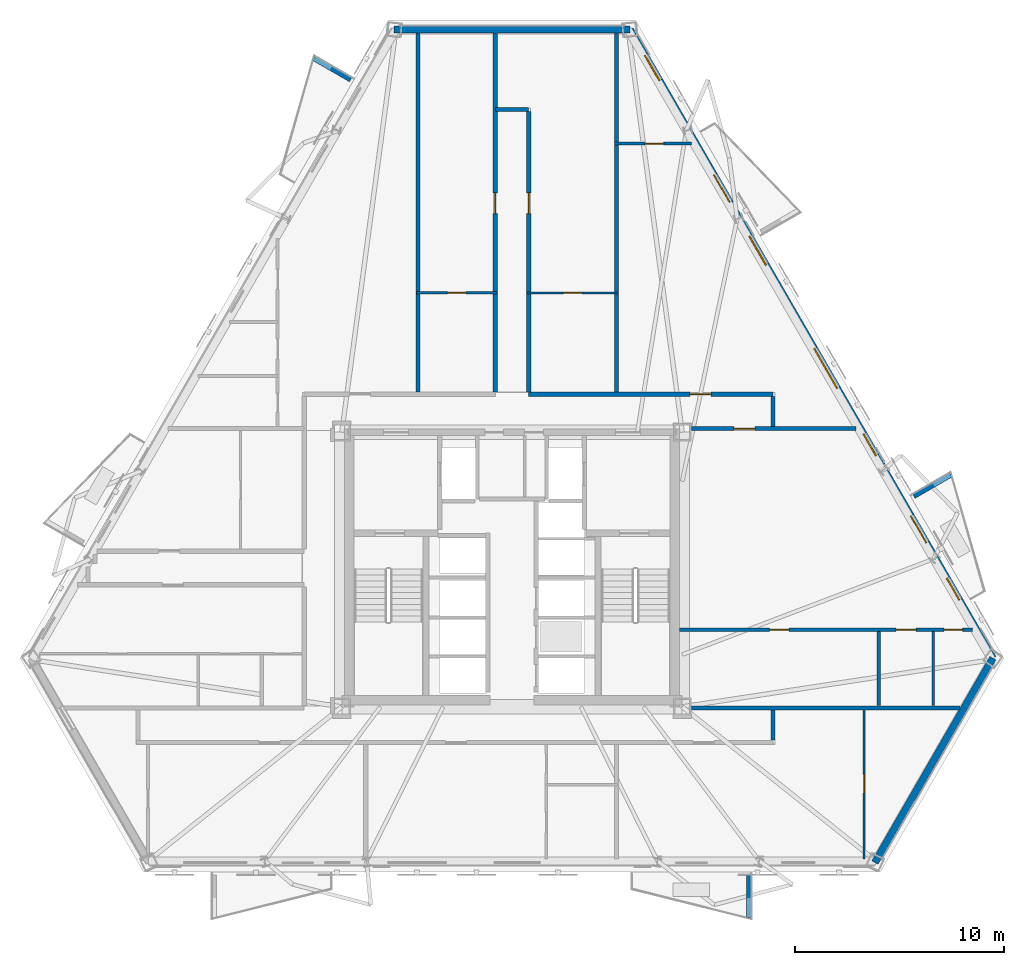
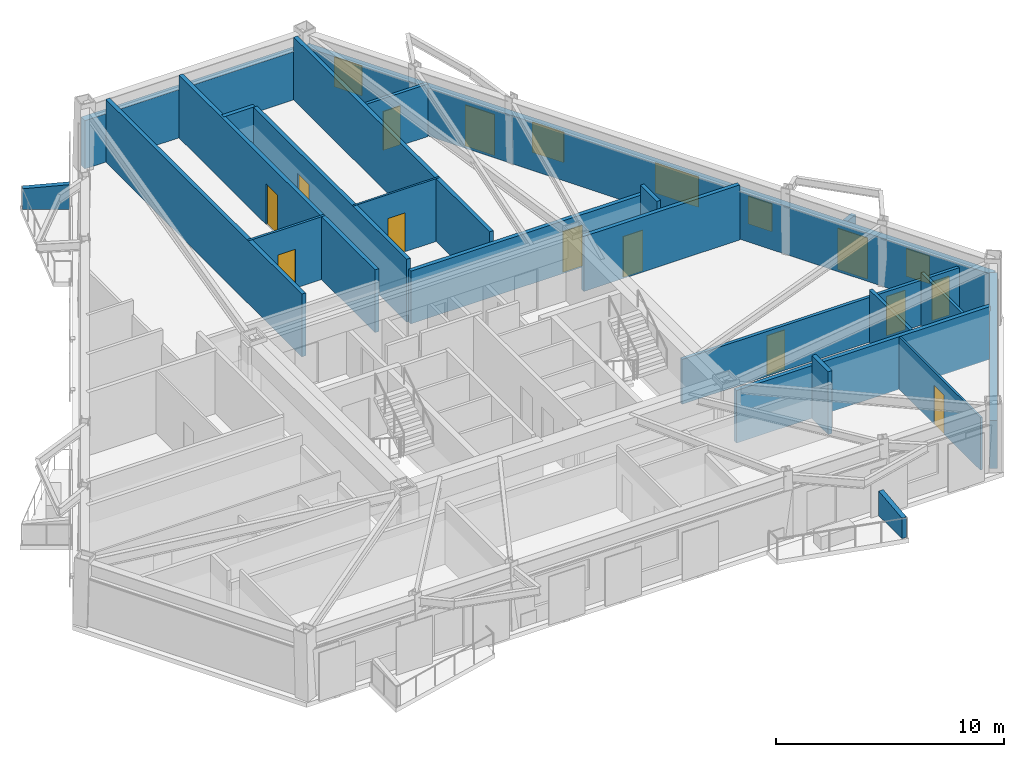
# One storey, part 5 of 11: 23 walls, 13 doors, 5 windows, 18 openings.
"""IFC4 building model written with IfcOpenShell, lengths in metres."""

from ifc_helpers import new_model, si_unit, direction, frame, frame_2d, origin, place, context, subcontext, project, spatial, polyline, rectangle, outline, extrude, material, layer, layer_set, type_object, element, fill, save


model = new_model("IFC4")

# Units and contexts
model_context = context("Model", 3, precision=1e-05, world=origin(), true_north=direction((0.0, 1.0)))
body_context = subcontext(model_context, "Body", "Model", "MODEL_VIEW")
ifc_project = project(units=[si_unit("LENGTHUNIT", "METRE"), si_unit("AREAUNIT", "SQUARE_METRE"), si_unit("VOLUMEUNIT", "CUBIC_METRE"), si_unit("PLANEANGLEUNIT", "RADIAN"), si_unit("MASSUNIT", "GRAM", prefix="KILO")], contexts=[model_context])

# Site, building, storey
site_placement = place(None, origin())
site = spatial("IfcSite", under=ifc_project, at=site_placement, CompositionType="ELEMENT")
building_placement = place(site_placement, origin())
building = spatial("IfcBuilding", under=site, at=building_placement, Name="Oramaril Tower", CompositionType="ELEMENT")
storey_placement = place(building_placement, frame((0.0, 0.0, 112.199951171875)))
storey = spatial("IfcBuildingStorey", under=building, at=storey_placement, Name="L29", CompositionType="ELEMENT", Elevation=112.199951171875)

# Wall
ifc_material_1 = material(Name="Warm Cream Limestone", Category="masonry")
ifc_layer_1 = layer(ifc_material_1, 0.340087890625)
ifc_layer_set_1 = layer_set([ifc_layer_1], Name="WT-EXT34")
wall_type_1 = type_object("IfcWallType", Name="WT-EXT34", PredefinedType="SOLIDWALL", material=ifc_layer_set_1)
wall_1_placement = place(storey_placement, frame((54.875, 3.544677734375, 0.0), z_axis=(0.0, 0.0, 1.0), x_axis=(0.500010476433, 0.866019355129, 0.0)))
element("IfcWall", 1, at=wall_1_placement, inside=storey, type_object=wall_type_1, Name="L29 Tower Limestone Facade Wall 3M", PredefinedType="SOLIDWALL", context=body_context, shape_type="SweptSolid", body=[
    extrude(rectangle(XDim=11.299560546875, YDim=0.340087890625, at=frame_2d((5.64990234375, 0.0))), origin(), (0.0, 0.0, 1.0), 2.578125),
])

# Wall, openings, doors, windows
wall_2_placement = place(storey_placement, frame((60.52490234375, 13.330322265625, 0.0), z_axis=(0.0, 0.0, 1.0), x_axis=(-0.500004027594, 0.866023078439, 0.0)))
wall_2 = element("IfcWall", 2, at=wall_2_placement, inside=storey, type_object=wall_type_1, Name="L29 Tower Limestone Facade Wall 4M", PredefinedType="SOLIDWALL", context=body_context, shape_type="SweptSolid", body=[
    extrude(rectangle(XDim=34.750244140625, YDim=0.340087890625, at=frame_2d((17.375, 0.0))), origin(), (0.0, 0.0, 1.0), 2.578125),
])
opening_1_placement = place(wall_2_placement, frame((6.369384765625, 0.0, 0.0)))
opening_1 = element("IfcOpeningElement", 3, at=opening_1_placement, cuts=wall_2, Name="Opening D-L29-BAL-NE1", PredefinedType="OPENING", context=body_context, shape_type="SweptSolid", body=[
    extrude(rectangle(XDim=1.5, YDim=2.199951171875, at=frame_2d((0.75, 1.10009765625))), frame((0.0, 0.169921875, 0.0), z_axis=(0.0, -1.0, 0.0), x_axis=(1.0, 0.0, 0.0)), (0.0, 0.0, 1.0), 0.340087890625),
])
opening_2_placement = place(wall_2_placement, frame((25.2158203125, 0.0, 0.0)))
opening_2 = element("IfcOpeningElement", 4, at=opening_2_placement, cuts=wall_2, Name="Opening D-L29-BAL-NE2", PredefinedType="OPENING", context=body_context, shape_type="SweptSolid", body=[
    extrude(rectangle(XDim=1.5, YDim=2.199951171875, at=frame_2d((0.75, 1.10009765625))), frame((0.0, 0.169921875, 0.0), z_axis=(0.0, -1.0, 0.0), x_axis=(1.0, 0.0, 0.0)), (0.0, 0.0, 1.0), 0.340087890625),
])
opening_3_placement = place(wall_2_placement, frame((3.220458984375, 0.0, 0.85009765625)))
opening_3 = element("IfcOpeningElement", 5, at=opening_3_placement, cuts=wall_2, Name="Opening WN-09", PredefinedType="OPENING", context=body_context, shape_type="SweptSolid", body=[
    extrude(rectangle(XDim=1.199951171875, YDim=1.47998046875, at=frame_2d((0.60009765625, 0.739990234375))), frame((0.0, 0.169921875, 0.0), z_axis=(0.0, -1.0, 0.0), x_axis=(1.0, 0.0, 0.0)), (0.0, 0.0, 1.0), 0.340087890625),
])
opening_4_placement = place(wall_2_placement, frame((11.19287109375, 0.0, 0.85009765625)))
opening_4 = element("IfcOpeningElement", 6, at=opening_4_placement, cuts=wall_2, Name="Opening WN-09", PredefinedType="OPENING", context=body_context, shape_type="SweptSolid", body=[
    extrude(rectangle(XDim=1.199951171875, YDim=1.47998046875, at=frame_2d((0.60009765625, 0.739990234375))), frame((0.0, 0.169921875, 0.0), z_axis=(0.0, -1.0, 0.0), x_axis=(1.0, 0.0, 0.0)), (0.0, 0.0, 1.0), 0.340087890625),
])
opening_5_placement = place(wall_2_placement, frame((14.912841796875, 0.0, 0.85009765625)))
opening_5 = element("IfcOpeningElement", 7, at=opening_5_placement, cuts=wall_2, Name="Opening WN-04", PredefinedType="OPENING", context=body_context, shape_type="SweptSolid", body=[
    extrude(rectangle(XDim=2.199951171875, YDim=1.617919921875, at=frame_2d((1.10009765625, 0.80908203125))), frame((0.0, 0.169921875, 0.0), z_axis=(0.0, -1.0, 0.0), x_axis=(1.0, 0.0, 0.0)), (0.0, 0.0, 1.0), 0.340087890625),
])
opening_6_placement = place(wall_2_placement, frame((21.72412109375, 0.0, 0.85009765625)))
opening_6 = element("IfcOpeningElement", 8, at=opening_6_placement, cuts=wall_2, Name="Opening WN-07", PredefinedType="OPENING", context=body_context, shape_type="SweptSolid", body=[
    extrude(rectangle(XDim=1.60009765625, YDim=1.617919921875, at=frame_2d((0.800048828125, 0.80908203125))), frame((0.0, 0.169921875, 0.0), z_axis=(0.0, -1.0, 0.0), x_axis=(1.0, 0.0, 0.0)), (0.0, 0.0, 1.0), 0.340087890625),
])
opening_7_placement = place(wall_2_placement, frame((31.92822265625, 0.0, 0.85009765625)))
opening_7 = element("IfcOpeningElement", 9, at=opening_7_placement, cuts=wall_2, Name="Opening WN-08", PredefinedType="OPENING", context=body_context, shape_type="SweptSolid", body=[
    extrude(rectangle(XDim=1.39990234375, YDim=1.60009765625, at=frame_2d((0.699951171875, 0.800048828125))), frame((0.0, 0.169921875, 0.0), z_axis=(0.0, -1.0, 0.0), x_axis=(1.0, 0.0, 0.0)), (0.0, 0.0, 1.0), 0.340087890625),
])
ifc_material_2 = material(Name="Anodised Aluminium 6063-T6", Category="aluminium")
door_type_1 = type_object("IfcDoorType", Name="DT-BAL", OperationType="NOTDEFINED", PredefinedType="DOOR", material=ifc_material_2)
door_1_placement = place(opening_1_placement, origin())
door_1 = element("IfcDoor", 10, at=door_1_placement, inside=storey, type_object=door_type_1, Name="L29 Balcony Glazed Door L29-BAL-NE1", OperationType="SINGLE_SWING_RIGHT", OverallHeight=2.199951171875, OverallWidth=1.5, PredefinedType="DOOR", context=body_context, shape_type="SweptSolid", body=[
    extrude(rectangle(XDim=1.5, YDim=2.199951171875, at=frame_2d((0.75, 1.10009765625))), frame((0.0, 0.02490234375, 0.0), z_axis=(0.0, -1.0, 0.0), x_axis=(1.0, 0.0, 0.0)), (0.0, 0.0, 1.0), 0.050048828125),
])
fill(opening_1, door_1)
door_2_placement = place(opening_2_placement, origin())
door_2 = element("IfcDoor", 11, at=door_2_placement, inside=storey, type_object=door_type_1, Name="L29 Balcony Glazed Door L29-BAL-NE2", OperationType="SINGLE_SWING_LEFT", OverallHeight=2.199951171875, OverallWidth=1.5, PredefinedType="DOOR", context=body_context, shape_type="SweptSolid", body=[
    extrude(rectangle(XDim=1.5, YDim=2.199951171875, at=frame_2d((0.75, 1.10009765625))), frame((0.0, 0.02490234375, 0.0), z_axis=(0.0, -1.0, 0.0), x_axis=(1.0, 0.0, 0.0)), (0.0, 0.0, 1.0), 0.050048828125),
])
fill(opening_2, door_2)
ifc_material_3 = material(Name="Coastal Low-E Insulated Glass", Category="glass")
window_type_1 = type_object("IfcWindowType", Name="WNT-04", PartitioningType="SINGLE_PANEL", PredefinedType="WINDOW", material=ifc_material_3)
window_1_placement = place(opening_5_placement, origin())
window_1 = element("IfcWindow", 12, at=window_1_placement, inside=storey, type_object=window_type_1, Name="L29 Chicago Bay Window WN-04", OverallHeight=1.617919921875, OverallWidth=2.199951171875, PartitioningType="SINGLE_PANEL", PredefinedType="WINDOW", context=body_context, shape_type="SweptSolid", body=[
    extrude(rectangle(XDim=2.199951171875, YDim=1.617919921875, at=frame_2d((1.10009765625, 0.80908203125))), frame((0.0, 0.030029296875, 0.0), z_axis=(0.0, -1.0, 0.0), x_axis=(1.0, 0.0, 0.0)), (0.0, 0.0, 1.0), 0.06005859375),
])
fill(opening_5, window_1)
ifc_material_4 = material(Name="Coastal Low-E Insulated Glass", Category="glass")
window_type_2 = type_object("IfcWindowType", Name="WNT-07", PartitioningType="SINGLE_PANEL", PredefinedType="WINDOW", material=ifc_material_4)
window_2_placement = place(opening_6_placement, origin())
window_2 = element("IfcWindow", 13, at=window_2_placement, inside=storey, type_object=window_type_2, Name="L29 Chicago Bay Window WN-07", OverallHeight=1.617919921875, OverallWidth=1.60009765625, PartitioningType="SINGLE_PANEL", PredefinedType="WINDOW", context=body_context, shape_type="SweptSolid", body=[
    extrude(rectangle(XDim=1.60009765625, YDim=1.617919921875, at=frame_2d((0.800048828125, 0.80908203125))), frame((0.0, 0.030029296875, 0.0), z_axis=(0.0, -1.0, 0.0), x_axis=(1.0, 0.0, 0.0)), (0.0, 0.0, 1.0), 0.06005859375),
])
fill(opening_6, window_2)
ifc_material_5 = material(Name="Coastal Low-E Insulated Glass", Category="glass")
window_type_3 = type_object("IfcWindowType", Name="WNT-08", PartitioningType="SINGLE_PANEL", PredefinedType="WINDOW", material=ifc_material_5)
window_3_placement = place(opening_7_placement, origin())
window_3 = element("IfcWindow", 14, at=window_3_placement, inside=storey, type_object=window_type_3, Name="L29 Chicago Bay Window WN-08", OverallHeight=1.60009765625, OverallWidth=1.39990234375, PartitioningType="SINGLE_PANEL", PredefinedType="WINDOW", context=body_context, shape_type="SweptSolid", body=[
    extrude(rectangle(XDim=1.39990234375, YDim=1.60009765625, at=frame_2d((0.699951171875, 0.800048828125))), frame((0.0, 0.030029296875, 0.0), z_axis=(0.0, -1.0, 0.0), x_axis=(1.0, 0.0, 0.0)), (0.0, 0.0, 1.0), 0.06005859375),
])
fill(opening_7, window_3)
ifc_material_6 = material(Name="Coastal Low-E Insulated Glass", Category="glass")
window_type_4 = type_object("IfcWindowType", Name="WNT-09", PartitioningType="SINGLE_PANEL", PredefinedType="WINDOW", material=ifc_material_6)
window_4_placement = place(opening_3_placement, origin())
window_4 = element("IfcWindow", 15, at=window_4_placement, inside=storey, type_object=window_type_4, Name="L29 Chicago Bay Window WN-09", OverallHeight=1.47998046875, OverallWidth=1.199951171875, PartitioningType="SINGLE_PANEL", PredefinedType="WINDOW", context=body_context, shape_type="SweptSolid", body=[
    extrude(rectangle(XDim=1.199951171875, YDim=1.47998046875, at=frame_2d((0.60009765625, 0.739990234375))), frame((0.0, 0.030029296875, 0.0), z_axis=(0.0, -1.0, 0.0), x_axis=(1.0, 0.0, 0.0)), (0.0, 0.0, 1.0), 0.06005859375),
])
fill(opening_3, window_4)
window_5_placement = place(opening_4_placement, origin())
window_5 = element("IfcWindow", 16, at=window_5_placement, inside=storey, type_object=window_type_4, Name="L29 Chicago Bay Window WN-09", OverallHeight=1.47998046875, OverallWidth=1.199951171875, PartitioningType="SINGLE_PANEL", PredefinedType="WINDOW", context=body_context, shape_type="SweptSolid", body=[
    extrude(rectangle(XDim=1.199951171875, YDim=1.47998046875, at=frame_2d((0.60009765625, 0.739990234375))), frame((0.0, 0.030029296875, 0.0), z_axis=(0.0, -1.0, 0.0), x_axis=(1.0, 0.0, 0.0)), (0.0, 0.0, 1.0), 0.06005859375),
])
fill(opening_4, window_5)

# Walls
wall_3_placement = place(storey_placement, frame((43.149658203125, 43.4248046875, 0.0), z_axis=(0.0, 0.0, 1.0), x_axis=(-1.0, 0.0, 0.0)))
element("IfcWall", 17, at=wall_3_placement, inside=storey, type_object=wall_type_1, Name="L29 Tower Limestone Facade Wall 5M", PredefinedType="SOLIDWALL", context=body_context, shape_type="SweptSolid", body=[
    extrude(rectangle(XDim=11.29931640625, YDim=0.340087890625, at=frame_2d((5.649658203125, 0.0))), origin(), (0.0, 0.0, 1.0), 2.578125),
])
ifc_material_7 = material(Name="Concrete C40/50", Category="concrete")
ifc_layer_2 = layer(ifc_material_7, 0.22998046875)
ifc_layer_set_2 = layer_set([ifc_layer_2], Name="WT-PRP23")
wall_type_2 = type_object("IfcWallType", Name="WT-PRP23", PredefinedType="PARAPET", material=ifc_layer_set_2)
for number, where, z_axis, x_axis, name in (
    (18, (48.835693359375, 2.94677734375, 0.0), (0.0, 0.0, 1.0), (0.0, -1.0, 0.0), "L29 Trapezoidal Balcony Frame Cheek L29-BAL-S2-R"),
    (19, (56.740478515625, 21.080810546875, 0.0), (0.0, 0.0, 1.0), (0.866012356593, 0.500022597718, 0.0), "L29 Trapezoidal Balcony Frame Cheek L29-BAL-NE1-R"),
    (20, (29.775146484375, 41.026611328125, 0.0), (0.0, 0.0, 1.0), (-0.866012356593, 0.500022597718, 0.0), "L29 Trapezoidal Balcony Frame Cheek L29-BAL-NW1-L"),
):
    element("IfcWall", number, at=place(storey_placement, frame(where, z_axis=z_axis, x_axis=x_axis)), inside=storey, type_object=wall_type_2, Name=name, PredefinedType="PARAPET", context=body_context, shape_type="SweptSolid", body=[
        extrude(outline(polyline([(0.0, 0.0), (2.0419921875, 0.0), (2.0419921875, 1.10009765625), (0.0, 1.320068359375), (0.0, 0.0)])), frame((0.0, 0.114990234375, 0.0), z_axis=(0.0, -1.0, 0.0), x_axis=(1.0, 0.0, 0.0)), (0.0, 0.0, 1.0), 0.22998046875),
    ])

# Wall, opening, door
ifc_material_8 = material(Name="Acoustic Gypsum Board Partition")
ifc_layer_3 = layer(ifc_material_8, 0.10009765625)
ifc_layer_set_3 = layer_set([ifc_layer_3], Name="WT-PT10")
wall_type_3 = type_object("IfcWallType", Name="WT-PT10", PredefinedType="PARTITIONING", material=ifc_layer_set_3)
wall_4_placement = place(storey_placement, frame((38.218017578125, 30.820068359375, 0.0), z_axis=(0.0, 0.0, 1.0), x_axis=(1.0, 0.0, 0.0)))
wall_4 = element("IfcWall", 21, at=wall_4_placement, inside=storey, type_object=wall_type_3, Name="L29 Interior Partition PT-10", PredefinedType="PARTITIONING", context=body_context, shape_type="SweptSolid", body=[
    extrude(rectangle(XDim=4.364013671875, YDim=0.10009765625, at=frame_2d((2.18212890625, 0.0))), origin(), (0.0, 0.0, 1.0), 3.360107421875),
])
opening_8_placement = place(wall_4_placement, frame((1.741943359375, 0.0, 0.0)))
opening_8 = element("IfcOpeningElement", 22, at=opening_8_placement, cuts=wall_4, Name="Opening D-L29-16", PredefinedType="OPENING", context=body_context, shape_type="SweptSolid", body=[
    extrude(rectangle(XDim=0.8798828125, YDim=2.080078125, at=frame_2d((0.43994140625, 1.0400390625))), frame((0.0, 0.050048828125, 0.0), z_axis=(0.0, -1.0, 0.0), x_axis=(1.0, 0.0, 0.0)), (0.0, 0.0, 1.0), 0.10009765625),
])
ifc_material_9 = material(Name="FSC Brazilian Freijo Hardwood", Category="wood")
door_type_2 = type_object("IfcDoorType", Name="DT-BATH", OperationType="NOTDEFINED", PredefinedType="DOOR", material=ifc_material_9)
door_3_placement = place(opening_8_placement, origin())
door_3 = element("IfcDoor", 23, at=door_3_placement, inside=storey, type_object=door_type_2, Name="L29 Flat L29-U9 Bathroom Door D-L29-16", OperationType="SINGLE_SWING_LEFT", OverallHeight=2.080078125, OverallWidth=0.8798828125, PredefinedType="DOOR", context=body_context, shape_type="SweptSolid", body=[
    extrude(rectangle(XDim=0.8798828125, YDim=2.080078125, at=frame_2d((0.43994140625, 1.0400390625))), frame((0.0, 0.02490234375, 0.0), z_axis=(0.0, -1.0, 0.0), x_axis=(1.0, 0.0, 0.0)), (0.0, 0.0, 1.0), 0.050048828125),
])
fill(opening_8, door_3)

wall_5_placement = place(storey_placement, frame((54.360107421875, 3.71875, 0.0), z_axis=(0.0, 0.0, 1.0), x_axis=(0.0, 1.0, 0.0)))
wall_5 = element("IfcWall", 24, at=wall_5_placement, inside=storey, type_object=wall_type_3, Name="L29 Interior Partition PT-10", PredefinedType="PARTITIONING", context=body_context, shape_type="SweptSolid", body=[
    extrude(rectangle(XDim=7.127197265625, YDim=0.10009765625, at=frame_2d((3.5634765625, 0.0))), origin(), (0.0, 0.0, 1.0), 2.81396484375),
])
opening_9_placement = place(wall_5_placement, frame((3.163818359375, 0.0, 0.0)))
opening_9 = element("IfcOpeningElement", 25, at=opening_9_placement, cuts=wall_5, Name="Opening D-L29-27", PredefinedType="OPENING", context=body_context, shape_type="SweptSolid", body=[
    extrude(rectangle(XDim=0.8798828125, YDim=2.080078125, at=frame_2d((0.43994140625, 1.0400390625))), frame((0.0, 0.050048828125, 0.0), z_axis=(0.0, -1.0, 0.0), x_axis=(1.0, 0.0, 0.0)), (0.0, 0.0, 1.0), 0.10009765625),
])
door_4_placement = place(opening_9_placement, origin())
door_4 = element("IfcDoor", 26, at=door_4_placement, inside=storey, type_object=door_type_2, Name="L29 Flat L29-U3 Bathroom Door D-L29-27", OperationType="SINGLE_SWING_RIGHT", OverallHeight=2.080078125, OverallWidth=0.8798828125, PredefinedType="DOOR", context=body_context, shape_type="SweptSolid", body=[
    extrude(rectangle(XDim=0.8798828125, YDim=2.080078125, at=frame_2d((0.43994140625, 1.0400390625))), frame((0.0, 0.02490234375, 0.0), z_axis=(0.0, -1.0, 0.0), x_axis=(1.0, 0.0, 0.0)), (0.0, 0.0, 1.0), 0.050048828125),
])
fill(opening_9, door_4)

ifc_material_10 = material(Name="Acoustic Gypsum Board Partition")
ifc_layer_4 = layer(ifc_material_10, 0.1201171875)
ifc_layer_set_4 = layer_set([ifc_layer_4], Name="WT-PT12")
wall_type_4 = type_object("IfcWallType", Name="WT-PT12", PredefinedType="PARTITIONING", material=ifc_layer_set_4)
wall_6_placement = place(storey_placement, frame((32.91796875, 30.820068359375, 0.0), z_axis=(0.0, 0.0, 1.0), x_axis=(1.0, 0.0, 0.0)))
wall_6 = element("IfcWall", 27, at=wall_6_placement, inside=storey, type_object=wall_type_4, Name="L29 Interior Partition PT-12", PredefinedType="PARTITIONING", context=body_context, shape_type="SweptSolid", body=[
    extrude(rectangle(XDim=3.864013671875, YDim=0.1201171875, at=frame_2d((1.93212890625, 0.0))), origin(), (0.0, 0.0, 1.0), 3.360107421875),
])
opening_10_placement = place(wall_6_placement, frame((1.491943359375, 0.0, 0.0)))
opening_10 = element("IfcOpeningElement", 28, at=opening_10_placement, cuts=wall_6, Name="Opening D-L29-15", PredefinedType="OPENING", context=body_context, shape_type="SweptSolid", body=[
    extrude(rectangle(XDim=0.8798828125, YDim=2.080078125, at=frame_2d((0.43994140625, 1.0400390625))), frame((0.0, 0.06005859375, 0.0), z_axis=(0.0, -1.0, 0.0), x_axis=(1.0, 0.0, 0.0)), (0.0, 0.0, 1.0), 0.1201171875),
])
door_5_placement = place(opening_10_placement, origin())
door_5 = element("IfcDoor", 29, at=door_5_placement, inside=storey, type_object=door_type_2, Name="L29 Flat L29-U8 Bathroom Door D-L29-15", OperationType="SINGLE_SWING_RIGHT", OverallHeight=2.080078125, OverallWidth=0.8798828125, PredefinedType="DOOR", context=body_context, shape_type="SweptSolid", body=[
    extrude(rectangle(XDim=0.8798828125, YDim=2.080078125, at=frame_2d((0.43994140625, 1.0400390625))), frame((0.0, 0.02490234375, 0.0), z_axis=(0.0, -1.0, 0.0), x_axis=(1.0, 0.0, 0.0)), (0.0, 0.0, 1.0), 0.050048828125),
])
fill(opening_10, door_5)

# Wall
ifc_material_11 = material(Name="Acoustic Gypsum Board Partition")
ifc_layer_5 = layer(ifc_material_11, 0.139892578125)
ifc_layer_set_5 = layer_set([ifc_layer_5], Name="WT-PT14")
wall_type_5 = type_object("IfcWallType", Name="WT-PT14", PredefinedType="PARTITIONING", material=ifc_layer_set_5)
wall_7_placement = place(storey_placement, frame((57.669921875, 11.053955078125, 0.0), z_axis=(0.0, 0.0, 1.0), x_axis=(0.0, 1.0, 0.0)))
element("IfcWall", 30, at=wall_7_placement, inside=storey, type_object=wall_type_5, Name="L29 Interior Partition PT-14", PredefinedType="PARTITIONING", context=body_context, shape_type="SweptSolid", body=[
    extrude(rectangle(XDim=3.552001953125, YDim=0.139892578125, at=frame_2d((1.77587890625, 0.0))), origin(), (0.0, 0.0, 1.0), 2.81396484375),
])

# Wall, openings, doors
ifc_material_12 = material(Name="Acoustic Gypsum Board Partition")
ifc_layer_6 = layer(ifc_material_12, 0.159912109375)
ifc_layer_set_6 = layer_set([ifc_layer_6], Name="WT-PT16")
wall_type_6 = type_object("IfcWallType", Name="WT-PT16", PredefinedType="PARTITIONING", material=ifc_layer_set_6)
wall_8_placement = place(storey_placement, frame((45.513916015625, 14.68994140625, 0.0), z_axis=(0.0, 0.0, 1.0), x_axis=(1.0, 0.0, 0.0)))
wall_8 = element("IfcWall", 31, at=wall_8_placement, inside=storey, type_object=wall_type_6, Name="L29 Interior Partition PT-16", PredefinedType="PARTITIONING", context=body_context, shape_type="SweptSolid", body=[
    extrude(rectangle(XDim=14.02490234375, YDim=0.159912109375, at=frame_2d((7.012451171875, 0.0))), origin(), (0.0, 0.0, 1.0), 2.400146484375),
])
opening_11_placement = place(wall_8_placement, frame((4.322265625, 0.0, 0.0)))
opening_11 = element("IfcOpeningElement", 32, at=opening_11_placement, cuts=wall_8, Name="Opening D-L29-07", PredefinedType="OPENING", context=body_context, shape_type="SweptSolid", body=[
    extrude(rectangle(XDim=0.919921875, YDim=2.1201171875, at=frame_2d((0.4599609375, 1.06005859375))), frame((0.0, 0.080078125, 0.0), z_axis=(0.0, -1.0, 0.0), x_axis=(1.0, 0.0, 0.0)), (0.0, 0.0, 1.0), 0.159912109375),
])
opening_12_placement = place(wall_8_placement, frame((10.37939453125, 0.0, 0.0)))
opening_12 = element("IfcOpeningElement", 33, at=opening_12_placement, cuts=wall_8, Name="Opening D-L29-08", PredefinedType="OPENING", context=body_context, shape_type="SweptSolid", body=[
    extrude(rectangle(XDim=0.949951171875, YDim=2.10009765625, at=frame_2d((0.47509765625, 1.050048828125))), frame((0.0, 0.080078125, 0.0), z_axis=(0.0, -1.0, 0.0), x_axis=(1.0, 0.0, 0.0)), (0.0, 0.0, 1.0), 0.159912109375),
])
opening_13_placement = place(wall_8_placement, frame((12.680419921875, 0.0, 0.0)))
opening_13 = element("IfcOpeningElement", 34, at=opening_13_placement, cuts=wall_8, Name="Opening D-L29-09", PredefinedType="OPENING", context=body_context, shape_type="SweptSolid", body=[
    extrude(rectangle(XDim=0.8798828125, YDim=2.080078125, at=frame_2d((0.43994140625, 1.0400390625))), frame((0.0, 0.080078125, 0.0), z_axis=(0.0, -1.0, 0.0), x_axis=(1.0, 0.0, 0.0)), (0.0, 0.0, 1.0), 0.159912109375),
])
door_6_placement = place(opening_13_placement, origin())
door_6 = element("IfcDoor", 35, at=door_6_placement, inside=storey, type_object=door_type_2, Name="L29 Flat L29-U6 Bathroom Door D-L29-09", OperationType="SINGLE_SWING_RIGHT", OverallHeight=2.080078125, OverallWidth=0.8798828125, PredefinedType="DOOR", context=body_context, shape_type="SweptSolid", body=[
    extrude(rectangle(XDim=0.8798828125, YDim=2.080078125, at=frame_2d((0.43994140625, 1.0400390625))), frame((0.0, 0.02490234375, 0.0), z_axis=(0.0, -1.0, 0.0), x_axis=(1.0, 0.0, 0.0)), (0.0, 0.0, 1.0), 0.050048828125),
])
fill(opening_13, door_6)
ifc_material_13 = material(Name="FSC Brazilian Freijo Hardwood", Category="wood")
door_type_3 = type_object("IfcDoorType", Name="DT-BED", OperationType="NOTDEFINED", PredefinedType="DOOR", material=ifc_material_13)
door_7_placement = place(opening_11_placement, origin())
door_7 = element("IfcDoor", 36, at=door_7_placement, inside=storey, type_object=door_type_3, Name="L29 Flat L29-U6 Master Bedroom Door D-L29-07", OperationType="SINGLE_SWING_RIGHT", OverallHeight=2.1201171875, OverallWidth=0.919921875, PredefinedType="DOOR", context=body_context, shape_type="SweptSolid", body=[
    extrude(rectangle(XDim=0.919921875, YDim=2.1201171875, at=frame_2d((0.4599609375, 1.06005859375))), frame((0.0, 0.02490234375, 0.0), z_axis=(0.0, -1.0, 0.0), x_axis=(1.0, 0.0, 0.0)), (0.0, 0.0, 1.0), 0.050048828125),
])
fill(opening_11, door_7)
ifc_material_14 = material(Name="FSC Brazilian Freijo Hardwood", Category="wood")
door_type_4 = type_object("IfcDoorType", Name="DT-STDY", OperationType="NOTDEFINED", PredefinedType="DOOR", material=ifc_material_14)
door_8_placement = place(opening_12_placement, origin())
door_8 = element("IfcDoor", 37, at=door_8_placement, inside=storey, type_object=door_type_4, Name="L29 Flat L29-U6 Kitchen Door D-L29-08", OperationType="SINGLE_SWING_LEFT", OverallHeight=2.10009765625, OverallWidth=0.949951171875, PredefinedType="DOOR", context=body_context, shape_type="SweptSolid", body=[
    extrude(rectangle(XDim=0.949951171875, YDim=2.10009765625, at=frame_2d((0.47509765625, 1.050048828125))), frame((0.0, 0.02490234375, 0.0), z_axis=(0.0, -1.0, 0.0), x_axis=(1.0, 0.0, 0.0)), (0.0, 0.0, 1.0), 0.050048828125),
])
fill(opening_12, door_8)

# Wall, opening, door
wall_9_placement = place(storey_placement, frame((42.41796875, 37.969970703125, 0.0), z_axis=(0.0, 0.0, 1.0), x_axis=(1.0, 0.0, 0.0)))
wall_9 = element("IfcWall", 38, at=wall_9_placement, inside=storey, type_object=wall_type_6, Name="L29 Interior Partition PT-16", PredefinedType="PARTITIONING", context=body_context, shape_type="SweptSolid", body=[
    extrude(rectangle(XDim=3.68017578125, YDim=0.159912109375, at=frame_2d((1.840087890625, 0.0))), origin(), (0.0, 0.0, 1.0), 2.81396484375),
])
opening_14_placement = place(wall_9_placement, frame((1.456298828125, 0.0, 0.0)))
opening_14 = element("IfcOpeningElement", 39, at=opening_14_placement, cuts=wall_9, Name="Opening D-L29-17", PredefinedType="OPENING", context=body_context, shape_type="SweptSolid", body=[
    extrude(rectangle(XDim=0.8798828125, YDim=2.080078125, at=frame_2d((0.43994140625, 1.0400390625))), frame((0.0, 0.080078125, 0.0), z_axis=(0.0, -1.0, 0.0), x_axis=(1.0, 0.0, 0.0)), (0.0, 0.0, 1.0), 0.159912109375),
])
door_9_placement = place(opening_14_placement, origin())
door_9 = element("IfcDoor", 40, at=door_9_placement, inside=storey, type_object=door_type_2, Name="L29 Flat L29-U10 Bathroom Door D-L29-17", OperationType="SINGLE_SWING_RIGHT", OverallHeight=2.080078125, OverallWidth=0.8798828125, PredefinedType="DOOR", context=body_context, shape_type="SweptSolid", body=[
    extrude(rectangle(XDim=0.8798828125, YDim=2.080078125, at=frame_2d((0.43994140625, 1.0400390625))), frame((0.0, 0.02490234375, 0.0), z_axis=(0.0, -1.0, 0.0), x_axis=(1.0, 0.0, 0.0)), (0.0, 0.0, 1.0), 0.050048828125),
])
fill(opening_14, door_9)

# Walls
wall_10_placement = place(storey_placement, frame((55.06005859375, 11.053955078125, 0.0), z_axis=(0.0, 0.0, 1.0), x_axis=(0.0, 1.0, 0.0)))
element("IfcWall", 41, at=wall_10_placement, inside=storey, type_object=wall_type_6, Name="L29 Interior Partition PT-16", PredefinedType="PARTITIONING", context=body_context, shape_type="SweptSolid", body=[
    extrude(rectangle(XDim=3.552001953125, YDim=0.159912109375, at=frame_2d((1.77587890625, 0.0))), origin(), (0.0, 0.0, 1.0), 2.81396484375),
])
ifc_material_15 = material(Name="Autoclaved Cellular Concrete Block", Category="concrete")
ifc_layer_7 = layer(ifc_material_15, 0.199951171875)
ifc_layer_set_7 = layer_set([ifc_layer_7], Name="WT-PT20")
wall_type_7 = type_object("IfcWallType", Name="WT-PT20", PredefinedType="PARTITIONING", material=ifc_layer_set_7)
wall_11_placement = place(storey_placement, frame((46.090087890625, 10.949951171875, 0.0), z_axis=(0.0, 0.0, 1.0), x_axis=(1.0, 0.0, 0.0)))
element("IfcWall", 42, at=wall_11_placement, inside=storey, type_object=wall_type_7, Name="L29 Interior Partition PT-20", PredefinedType="PARTITIONING", context=body_context, shape_type="SweptSolid", body=[
    extrude(rectangle(XDim=12.859619140625, YDim=0.199951171875, at=frame_2d((6.4296875, 0.0))), origin(), (0.0, 0.0, 1.0), 2.81396484375),
])

# Wall, opening, door
wall_12_placement = place(storey_placement, frame((46.090087890625, 24.320068359375, 0.0), z_axis=(0.0, 0.0, 1.0), x_axis=(1.0, 0.0, 0.0)))
wall_12 = element("IfcWall", 43, at=wall_12_placement, inside=storey, type_object=wall_type_7, Name="L29 Interior Partition PT-20", PredefinedType="PARTITIONING", context=body_context, shape_type="SweptSolid", body=[
    extrude(rectangle(XDim=7.888916015625, YDim=0.199951171875, at=frame_2d((3.9443359375, 0.0))), origin(), (0.0, 0.0, 1.0), 2.946044921875),
])
opening_15_placement = place(wall_12_placement, frame((2.040771484375, 0.0, 0.0)))
opening_15 = element("IfcOpeningElement", 44, at=opening_15_placement, cuts=wall_12, Name="Opening D-L29-12", PredefinedType="OPENING", context=body_context, shape_type="SweptSolid", body=[
    extrude(rectangle(XDim=1.0, YDim=2.179931640625, at=frame_2d((0.5, 1.08984375))), frame((0.0, 0.10009765625, 0.0), z_axis=(0.0, -1.0, 0.0), x_axis=(1.0, 0.0, 0.0)), (0.0, 0.0, 1.0), 0.199951171875),
])
ifc_material_16 = material(Name="FSC Brazilian Freijo Hardwood", Category="wood")
door_type_5 = type_object("IfcDoorType", Name="DT-APT", OperationType="NOTDEFINED", PredefinedType="DOOR", material=ifc_material_16)
door_10_placement = place(opening_15_placement, origin())
door_10 = element("IfcDoor", 45, at=door_10_placement, inside=storey, type_object=door_type_5, Name="L29 Flat L29-U6 Penthouse Living and Dining Room Door D-L29-12", OperationType="SINGLE_SWING_LEFT", OverallHeight=2.179931640625, OverallWidth=1.0, PredefinedType="DOOR", context=body_context, shape_type="SweptSolid", body=[
    extrude(rectangle(XDim=1.0, YDim=2.179931640625, at=frame_2d((0.5, 1.08984375))), frame((0.0, 0.02490234375, 0.0), z_axis=(0.0, -1.0, 0.0), x_axis=(1.0, 0.0, 0.0)), (0.0, 0.0, 1.0), 0.050048828125),
])
fill(opening_15, door_10)

wall_13_placement = place(storey_placement, frame((38.300048828125, 25.969970703125, 0.0), z_axis=(0.0, 0.0, 1.0), x_axis=(1.0, 0.0, 0.0)))
wall_13 = element("IfcWall", 46, at=wall_13_placement, inside=storey, type_object=wall_type_7, Name="L29 Interior Partition PT-20", PredefinedType="PARTITIONING", context=body_context, shape_type="SweptSolid", body=[
    extrude(rectangle(XDim=11.699951171875, YDim=0.199951171875, at=frame_2d((5.85009765625, 0.0))), origin(), (0.0, 0.0, 1.0), 2.81396484375),
])
opening_16_placement = place(wall_13_placement, frame((7.727294921875, 0.0, 0.0)))
opening_16 = element("IfcOpeningElement", 47, at=opening_16_placement, cuts=wall_13, Name="Opening D-L29-14", PredefinedType="OPENING", context=body_context, shape_type="SweptSolid", body=[
    extrude(rectangle(XDim=1.0, YDim=2.179931640625, at=frame_2d((0.5, 1.08984375))), frame((0.0, 0.10009765625, 0.0), z_axis=(0.0, -1.0, 0.0), x_axis=(1.0, 0.0, 0.0)), (0.0, 0.0, 1.0), 0.199951171875),
])
door_11_placement = place(opening_16_placement, origin())
door_11 = element("IfcDoor", 48, at=door_11_placement, inside=storey, type_object=door_type_5, Name="L29 Flat L29-U10 Kitchen and Studio Apartment Door D-L29-14", OperationType="SINGLE_SWING_LEFT", OverallHeight=2.179931640625, OverallWidth=1.0, PredefinedType="DOOR", context=body_context, shape_type="SweptSolid", body=[
    extrude(rectangle(XDim=1.0, YDim=2.179931640625, at=frame_2d((0.5, 1.08984375))), frame((0.0, 0.02490234375, 0.0), z_axis=(0.0, -1.0, 0.0), x_axis=(1.0, 0.0, 0.0)), (0.0, 0.0, 1.0), 0.050048828125),
])
fill(opening_16, door_11)

# Walls
wall_14_placement = place(storey_placement, frame((36.699951171875, 39.60009765625, 0.0), z_axis=(0.0, 0.0, 1.0), x_axis=(1.0, 0.0, 0.0)))
element("IfcWall", 49, at=wall_14_placement, inside=storey, type_object=wall_type_7, Name="L29 Interior Partition PT-20", PredefinedType="PARTITIONING", context=body_context, shape_type="SweptSolid", body=[
    extrude(rectangle(XDim=1.60009765625, YDim=0.199951171875, at=frame_2d((0.800048828125, 0.0))), origin(), (0.0, 0.0, 1.0), 3.360107421875),
])
wall_15_placement = place(storey_placement, frame((33.0, 26.073974609375, 0.0), z_axis=(0.0, 0.0, 1.0), x_axis=(0.0, 1.0, 0.0)))
element("IfcWall", 50, at=wall_15_placement, inside=storey, type_object=wall_type_7, Name="L29 Interior Partition PT-20", PredefinedType="PARTITIONING", context=body_context, shape_type="SweptSolid", body=[
    extrude(rectangle(XDim=17.177001953125, YDim=0.199951171875, at=frame_2d((8.58837890625, 0.0))), origin(), (0.0, 0.0, 1.0), 3.360107421875),
])

# Wall, opening, door
wall_16_placement = place(storey_placement, frame((36.699951171875, 26.073974609375, 0.0), z_axis=(0.0, 0.0, 1.0), x_axis=(0.0, 1.0, 0.0)))
wall_16 = element("IfcWall", 51, at=wall_16_placement, inside=storey, type_object=wall_type_7, Name="L29 Interior Partition PT-20", PredefinedType="PARTITIONING", context=body_context, shape_type="SweptSolid", body=[
    extrude(rectangle(XDim=17.177001953125, YDim=0.199951171875, at=frame_2d((8.58837890625, 0.0))), origin(), (0.0, 0.0, 1.0), 3.360107421875),
])
opening_17_placement = place(wall_16_placement, frame((8.538818359375, 0.0, 0.0)))
opening_17 = element("IfcOpeningElement", 52, at=opening_17_placement, cuts=wall_16, Name="Opening D-L29-23", PredefinedType="OPENING", context=body_context, shape_type="SweptSolid", body=[
    extrude(rectangle(XDim=1.0, YDim=2.179931640625, at=frame_2d((0.5, 1.08984375))), frame((0.0, 0.10009765625, 0.0), z_axis=(0.0, -1.0, 0.0), x_axis=(1.0, 0.0, 0.0)), (0.0, 0.0, 1.0), 0.199951171875),
])
door_12_placement = place(opening_17_placement, origin())
door_12 = element("IfcDoor", 53, at=door_12_placement, inside=storey, type_object=door_type_5, Name="L29 Flat L29-U8 Kitchen and Studio Apartment Door D-L29-23", OperationType="SINGLE_SWING_RIGHT", OverallHeight=2.179931640625, OverallWidth=1.0, PredefinedType="DOOR", context=body_context, shape_type="SweptSolid", body=[
    extrude(rectangle(XDim=1.0, YDim=2.179931640625, at=frame_2d((0.5, 1.08984375))), frame((0.0, 0.02490234375, 0.0), z_axis=(0.0, -1.0, 0.0), x_axis=(1.0, 0.0, 0.0)), (0.0, 0.0, 1.0), 0.050048828125),
])
fill(opening_17, door_12)

wall_17_placement = place(storey_placement, frame((38.300048828125, 26.073974609375, 0.0), z_axis=(0.0, 0.0, 1.0), x_axis=(0.0, 1.0, 0.0)))
wall_17 = element("IfcWall", 54, at=wall_17_placement, inside=storey, type_object=wall_type_7, Name="L29 Interior Partition PT-20", PredefinedType="PARTITIONING", context=body_context, shape_type="SweptSolid", body=[
    extrude(rectangle(XDim=13.422119140625, YDim=0.199951171875, at=frame_2d((6.7109375, 0.0))), origin(), (0.0, 0.0, 1.0), 3.360107421875),
])
opening_18_placement = place(wall_17_placement, frame((8.538818359375, 0.0, 0.0)))
opening_18 = element("IfcOpeningElement", 55, at=opening_18_placement, cuts=wall_17, Name="Opening D-L29-24", PredefinedType="OPENING", context=body_context, shape_type="SweptSolid", body=[
    extrude(rectangle(XDim=1.0, YDim=2.179931640625, at=frame_2d((0.5, 1.08984375))), frame((0.0, 0.10009765625, 0.0), z_axis=(0.0, -1.0, 0.0), x_axis=(1.0, 0.0, 0.0)), (0.0, 0.0, 1.0), 0.199951171875),
])
door_13_placement = place(opening_18_placement, origin())
door_13 = element("IfcDoor", 56, at=door_13_placement, inside=storey, type_object=door_type_5, Name="L29 Flat L29-U9 Kitchen and Studio Apartment Door D-L29-24", OperationType="SINGLE_SWING_LEFT", OverallHeight=2.179931640625, OverallWidth=1.0, PredefinedType="DOOR", context=body_context, shape_type="SweptSolid", body=[
    extrude(rectangle(XDim=1.0, YDim=2.179931640625, at=frame_2d((0.5, 1.08984375))), frame((0.0, 0.02490234375, 0.0), z_axis=(0.0, -1.0, 0.0), x_axis=(1.0, 0.0, 0.0)), (0.0, 0.0, 1.0), 0.050048828125),
])
fill(opening_18, door_13)

# Walls
wall_18_placement = place(storey_placement, frame((42.5, 26.073974609375, 0.0), z_axis=(0.0, 0.0, 1.0), x_axis=(0.0, 1.0, 0.0)))
element("IfcWall", 57, at=wall_18_placement, inside=storey, type_object=wall_type_7, Name="L29 Interior Partition PT-20", PredefinedType="PARTITIONING", context=body_context, shape_type="SweptSolid", body=[
    extrude(rectangle(XDim=17.177001953125, YDim=0.199951171875, at=frame_2d((8.58837890625, 0.0))), origin(), (0.0, 0.0, 1.0), 3.360107421875),
])
for number, where, z_axis, x_axis, name in (
    (58, (50.0, 9.404052734375, 0.0), (0.0, 0.0, 1.0), (0.0, 1.0, 0.0), "L29 Interior Partition PT-20"),
    (59, (50.0, 24.424072265625, 0.0), (0.0, 0.0, 1.0), (0.0, 1.0, 0.0), "L29 Interior Partition PT-20"),
):
    element("IfcWall", number, at=place(storey_placement, frame(where, z_axis=z_axis, x_axis=x_axis)), inside=storey, type_object=wall_type_7, Name=name, PredefinedType="PARTITIONING", context=body_context, shape_type="SweptSolid", body=[
        extrude(rectangle(XDim=1.44189453125, YDim=0.199951171875, at=frame_2d((0.720947265625, 0.0))), origin(), (0.0, 0.0, 1.0), 3.360107421875),
    ])

save(model, "model.ifc")
